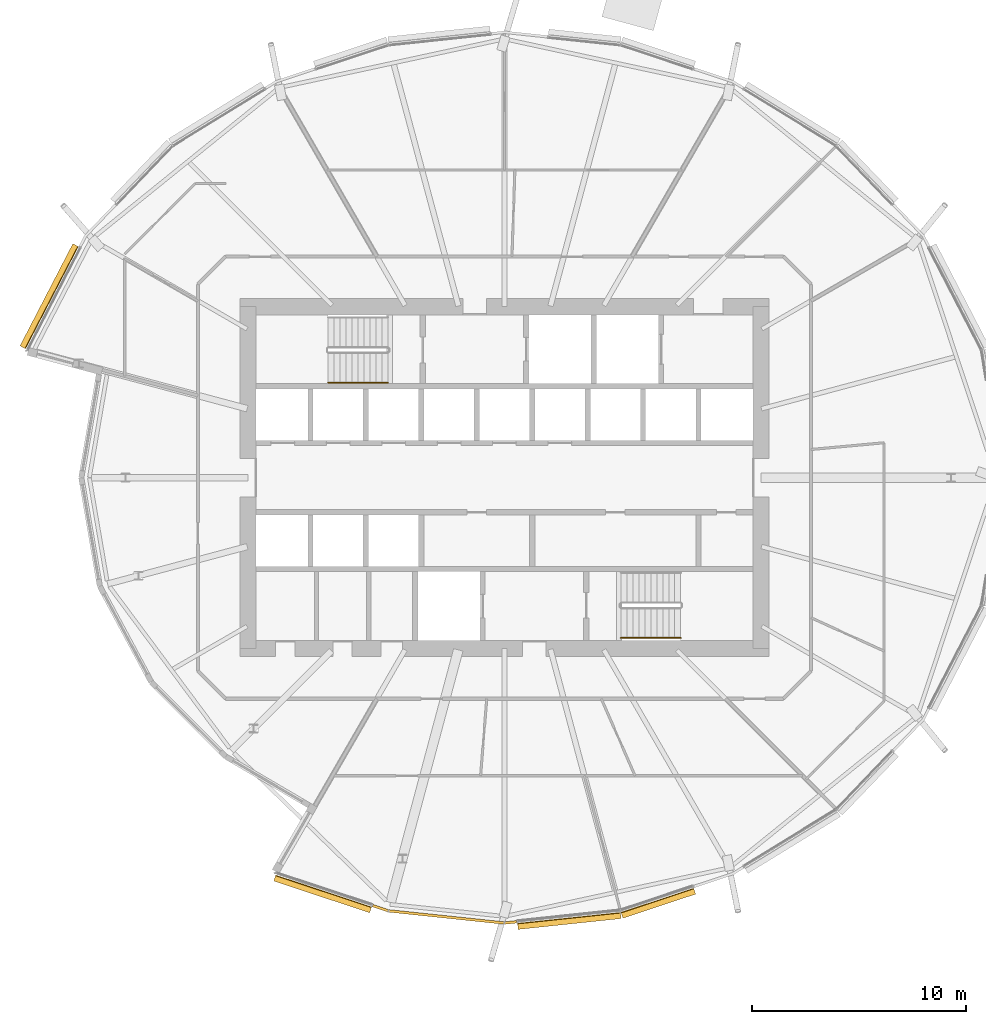
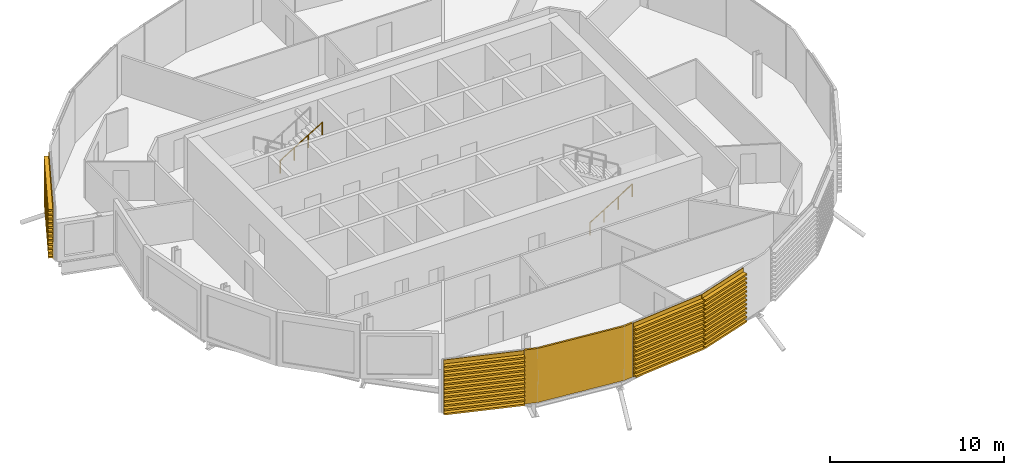
# One storey, part 33 of 38: 5 coverings, 2 railings.
"""IFC4 building model written with IfcOpenShell, lengths in metres."""

from ifc_helpers import new_model, si_unit, direction, frame, origin, origin_2d, place, context, subcontext, project, spatial, polyline, circle, outline, extrude, material, layer, layer_set, material_profile, profile_set, type_object, element, save


model = new_model("IFC4")

# Units and contexts
model_context = context("Model", 3, precision=1e-05, world=origin(), true_north=direction((0.0, 1.0)))
body_context = subcontext(model_context, "Body", "Model", "MODEL_VIEW")
ifc_project = project(units=[si_unit("LENGTHUNIT", "METRE"), si_unit("AREAUNIT", "SQUARE_METRE"), si_unit("VOLUMEUNIT", "CUBIC_METRE"), si_unit("PLANEANGLEUNIT", "RADIAN"), si_unit("MASSUNIT", "GRAM", prefix="KILO")], contexts=[model_context])

# Site, building, storey
site_placement = place(None, origin())
site = spatial("IfcSite", under=ifc_project, at=site_placement, CompositionType="ELEMENT")
building_placement = place(site_placement, origin())
building = spatial("IfcBuilding", under=site, at=building_placement, Name="Rimbun Link Towers", CompositionType="ELEMENT")
storey_placement = place(building_placement, frame((0.0, 0.0, 108.199951171875)))
storey = spatial("IfcBuildingStorey", under=building, at=storey_placement, Name="L26", CompositionType="ELEMENT", Elevation=108.199951171875)

# Covering
ifc_material_1 = material(Name="Terracotta", Category="masonry")
ifc_layer = layer(ifc_material_1, 0.1201171875)
ifc_layer_set = layer_set([ifc_layer], Name="LINK PIER terracotta cladding 120")
covering_type_1 = type_object("IfcCoveringType", Name="LINK PIER terracotta cladding 120", PredefinedType="CLADDING", material=ifc_layer_set)
covering_1_placement = place(storey_placement, origin())
element("IfcCovering", 1, at=covering_1_placement, inside=storey, type_object=covering_type_1, Name="LINK PIER cladding", PredefinedType="CLADDING", context=body_context, shape_type="SweptSolid", body=[
    extrude(outline(polyline([(-31.18310546875, -20.728271484375), (-31.75, -20.7880859375), (-37.167236328125, -20.217529296875), (-37.898193359375, -19.975341796875), (-37.93603515625, -20.089111328125), (-37.19287109375, -20.33544921875), (-31.75, -20.90869140625), (-31.170654296875, -20.84765625), (-31.18310546875, -20.728271484375)])), origin(), (0.0, 0.0, 1.0), 3.800048828125),
])

# Railings
ifc_material_2 = material(Name="Stainless steel grade 316", Category="steel")
railing_type = type_object("IfcRailingType", Name="Stair handrail", PredefinedType="HANDRAIL", material=ifc_material_2)
for number, where, name in (
    (2, (-40.0, 4.449951171875, 2.07275390625), "L26 ST1 stair handrail 2"),
    (3, (-26.300048828125, -7.5, 0.1728515625), "L26 ST2 stair handrail 1"),
):
    element("IfcRailing", number, at=place(storey_placement, frame(where)), inside=storey, type_object=railing_type, Name=name, PredefinedType="HANDRAIL", context=body_context, shape_type="SweptSolid", body=[
        extrude(circle(Radius=0.02392578125, at=origin_2d()), frame((0.0, 0.0, 0.8759765625), z_axis=(0.851089632645, 0.0, 0.525020415988), x_axis=(0.0, 1.0, 0.0)), (0.0, 0.0, 1.0), 3.2900390625),
        extrude(circle(Radius=0.02099609375, at=origin_2d()), origin(), (0.0, 0.0, 1.0), 0.851806640625),
        extrude(circle(Radius=0.02099609375, at=origin_2d()), frame((0.933349609375, 0.0, 0.57568359375)), (0.0, 0.0, 1.0), 0.851806640625),
        extrude(circle(Radius=0.02099609375, at=origin_2d()), frame((1.86669921875, 0.0, 1.151611328125)), (0.0, 0.0, 1.0), 0.851806640625),
        extrude(circle(Radius=0.02099609375, at=origin_2d()), frame((2.800048828125, 0.0, 1.727294921875)), (0.0, 0.0, 1.0), 0.851806640625),
    ])

# Coverings
ifc_material_3 = material(Name="Terracotta", Category="masonry")
ifc_material_profile = material_profile(ifc_material_3, outline(polyline([(0.123046875, 0.0), (0.1630859375, 0.0), (0.1630859375, 0.10009765625), (0.423095703125, 0.10009765625), (0.423095703125, 0.219970703125), (0.1630859375, 0.219970703125), (0.1630859375, 0.39990234375), (0.423095703125, 0.39990234375), (0.423095703125, 0.52001953125), (0.1630859375, 0.52001953125), (0.1630859375, 0.699951171875), (0.423095703125, 0.699951171875), (0.423095703125, 0.820068359375), (0.1630859375, 0.820068359375), (0.1630859375, 1.0), (0.423095703125, 1.0), (0.423095703125, 1.1201171875), (0.1630859375, 1.1201171875), (0.1630859375, 1.300048828125), (0.423095703125, 1.300048828125), (0.423095703125, 1.419921875), (0.1630859375, 1.419921875), (0.1630859375, 1.60009765625), (0.423095703125, 1.60009765625), (0.423095703125, 1.719970703125), (0.1630859375, 1.719970703125), (0.1630859375, 1.89990234375), (0.423095703125, 1.89990234375), (0.423095703125, 2.02001953125), (0.1630859375, 2.02001953125), (0.1630859375, 2.199951171875), (0.423095703125, 2.199951171875), (0.423095703125, 2.320068359375), (0.1630859375, 2.320068359375), (0.1630859375, 2.5), (0.423095703125, 2.5), (0.423095703125, 2.6201171875), (0.1630859375, 2.6201171875), (0.1630859375, 2.800048828125), (0.423095703125, 2.800048828125), (0.423095703125, 2.919921875), (0.1630859375, 2.919921875), (0.1630859375, 3.10009765625), (0.423095703125, 3.10009765625), (0.423095703125, 3.219970703125), (0.1630859375, 3.219970703125), (0.1630859375, 3.39990234375), (0.423095703125, 3.39990234375), (0.423095703125, 3.52001953125), (0.1630859375, 3.52001953125), (0.1630859375, 3.800048828125), (0.123046875, 3.800048828125), (0.123046875, 0.0)])), Name="BAGUETTE 120X300")
ifc_profile_set = profile_set([ifc_material_profile], Name="Terracotta")
covering_type_2 = type_object("IfcCoveringType", Name="TERRACOTTA BAGUETTE 120X300 H3800", PredefinedType="CLADDING", material=ifc_profile_set)
covering_2_placement = place(storey_placement, frame((-54.050048828125, 5.975341796875, 0.0), z_axis=(0.459546327365, 0.88815380031, 0.0), x_axis=(-0.88815380031, 0.459546327365, 0.0)))
element("IfcCovering", 4, at=covering_2_placement, inside=storey, type_object=covering_type_2, Name="TERRACOTTA BAGUETTE", PredefinedType="CLADDING", context=body_context, shape_type="SweptSolid", body=[
    extrude(outline(polyline([(0.123046875, 0.0), (0.1630859375, 0.0), (0.1630859375, 0.10009765625), (0.423095703125, 0.10009765625), (0.423095703125, 0.219970703125), (0.1630859375, 0.219970703125), (0.1630859375, 0.39990234375), (0.423095703125, 0.39990234375), (0.423095703125, 0.52001953125), (0.1630859375, 0.52001953125), (0.1630859375, 0.699951171875), (0.423095703125, 0.699951171875), (0.423095703125, 0.820068359375), (0.1630859375, 0.820068359375), (0.1630859375, 1.0), (0.423095703125, 1.0), (0.423095703125, 1.1201171875), (0.1630859375, 1.1201171875), (0.1630859375, 1.300048828125), (0.423095703125, 1.300048828125), (0.423095703125, 1.419921875), (0.1630859375, 1.419921875), (0.1630859375, 1.60009765625), (0.423095703125, 1.60009765625), (0.423095703125, 1.719970703125), (0.1630859375, 1.719970703125), (0.1630859375, 1.89990234375), (0.423095703125, 1.89990234375), (0.423095703125, 2.02001953125), (0.1630859375, 2.02001953125), (0.1630859375, 2.199951171875), (0.423095703125, 2.199951171875), (0.423095703125, 2.320068359375), (0.1630859375, 2.320068359375), (0.1630859375, 2.5), (0.423095703125, 2.5), (0.423095703125, 2.6201171875), (0.1630859375, 2.6201171875), (0.1630859375, 2.800048828125), (0.423095703125, 2.800048828125), (0.423095703125, 2.919921875), (0.1630859375, 2.919921875), (0.1630859375, 3.10009765625), (0.423095703125, 3.10009765625), (0.423095703125, 3.219970703125), (0.1630859375, 3.219970703125), (0.1630859375, 3.39990234375), (0.423095703125, 3.39990234375), (0.423095703125, 3.52001953125), (0.1630859375, 3.52001953125), (0.1630859375, 3.800048828125), (0.123046875, 3.800048828125), (0.123046875, 0.0)])), origin(), (0.0, 0.0, 1.0), 5.381591796875),
])
covering_3_placement = place(storey_placement, frame((-37.9267578125, -19.9658203125, 0.0), z_axis=(-0.949239108146, 0.314555425269, 0.0), x_axis=(-0.314555425269, -0.949239108146, 0.0)))
element("IfcCovering", 5, at=covering_3_placement, inside=storey, type_object=covering_type_2, Name="TERRACOTTA BAGUETTE", PredefinedType="CLADDING", context=body_context, shape_type="SweptSolid", body=[
    extrude(outline(polyline([(0.123046875, 0.0), (0.1630859375, 0.0), (0.1630859375, 0.10009765625), (0.423095703125, 0.10009765625), (0.423095703125, 0.219970703125), (0.1630859375, 0.219970703125), (0.1630859375, 0.39990234375), (0.423095703125, 0.39990234375), (0.423095703125, 0.52001953125), (0.1630859375, 0.52001953125), (0.1630859375, 0.699951171875), (0.423095703125, 0.699951171875), (0.423095703125, 0.820068359375), (0.1630859375, 0.820068359375), (0.1630859375, 1.0), (0.423095703125, 1.0), (0.423095703125, 1.1201171875), (0.1630859375, 1.1201171875), (0.1630859375, 1.300048828125), (0.423095703125, 1.300048828125), (0.423095703125, 1.419921875), (0.1630859375, 1.419921875), (0.1630859375, 1.60009765625), (0.423095703125, 1.60009765625), (0.423095703125, 1.719970703125), (0.1630859375, 1.719970703125), (0.1630859375, 1.89990234375), (0.423095703125, 1.89990234375), (0.423095703125, 2.02001953125), (0.1630859375, 2.02001953125), (0.1630859375, 2.199951171875), (0.423095703125, 2.199951171875), (0.423095703125, 2.320068359375), (0.1630859375, 2.320068359375), (0.1630859375, 2.5), (0.423095703125, 2.5), (0.423095703125, 2.6201171875), (0.1630859375, 2.6201171875), (0.1630859375, 2.800048828125), (0.423095703125, 2.800048828125), (0.423095703125, 2.919921875), (0.1630859375, 2.919921875), (0.1630859375, 3.10009765625), (0.423095703125, 3.10009765625), (0.423095703125, 3.219970703125), (0.1630859375, 3.219970703125), (0.1630859375, 3.39990234375), (0.423095703125, 3.39990234375), (0.423095703125, 3.52001953125), (0.1630859375, 3.52001953125), (0.1630859375, 3.800048828125), (0.123046875, 3.800048828125), (0.123046875, 0.0)])), origin(), (0.0, 0.0, 1.0), 4.7314453125),
])
covering_4_placement = place(storey_placement, frame((-26.332763671875, -20.217529296875, 0.0), z_axis=(-0.994502416666, -0.10471362493, 0.0), x_axis=(0.10471362493, -0.994502416666, 0.0)))
element("IfcCovering", 6, at=covering_4_placement, inside=storey, type_object=covering_type_2, Name="TERRACOTTA BAGUETTE", PredefinedType="CLADDING", context=body_context, shape_type="SweptSolid", body=[
    extrude(outline(polyline([(0.123046875, 0.0), (0.1630859375, 0.0), (0.1630859375, 0.10009765625), (0.423095703125, 0.10009765625), (0.423095703125, 0.219970703125), (0.1630859375, 0.219970703125), (0.1630859375, 0.39990234375), (0.423095703125, 0.39990234375), (0.423095703125, 0.52001953125), (0.1630859375, 0.52001953125), (0.1630859375, 0.699951171875), (0.423095703125, 0.699951171875), (0.423095703125, 0.820068359375), (0.1630859375, 0.820068359375), (0.1630859375, 1.0), (0.423095703125, 1.0), (0.423095703125, 1.1201171875), (0.1630859375, 1.1201171875), (0.1630859375, 1.300048828125), (0.423095703125, 1.300048828125), (0.423095703125, 1.419921875), (0.1630859375, 1.419921875), (0.1630859375, 1.60009765625), (0.423095703125, 1.60009765625), (0.423095703125, 1.719970703125), (0.1630859375, 1.719970703125), (0.1630859375, 1.89990234375), (0.423095703125, 1.89990234375), (0.423095703125, 2.02001953125), (0.1630859375, 2.02001953125), (0.1630859375, 2.199951171875), (0.423095703125, 2.199951171875), (0.423095703125, 2.320068359375), (0.1630859375, 2.320068359375), (0.1630859375, 2.5), (0.423095703125, 2.5), (0.423095703125, 2.6201171875), (0.1630859375, 2.6201171875), (0.1630859375, 2.800048828125), (0.423095703125, 2.800048828125), (0.423095703125, 2.919921875), (0.1630859375, 2.919921875), (0.1630859375, 3.10009765625), (0.423095703125, 3.10009765625), (0.423095703125, 3.219970703125), (0.1630859375, 3.219970703125), (0.1630859375, 3.39990234375), (0.423095703125, 3.39990234375), (0.423095703125, 3.52001953125), (0.1630859375, 3.52001953125), (0.1630859375, 3.800048828125), (0.123046875, 3.800048828125), (0.123046875, 0.0)])), origin(), (0.0, 0.0, 1.0), 4.84716796875),
])
covering_5_placement = place(storey_placement, frame((-22.93310546875, -19.0908203125, 0.0), z_axis=(-0.949227224398, -0.314591284783, 0.0), x_axis=(0.314591284783, -0.949227224398, 0.0)))
element("IfcCovering", 7, at=covering_5_placement, inside=storey, type_object=covering_type_2, Name="TERRACOTTA BAGUETTE", PredefinedType="CLADDING", context=body_context, shape_type="SweptSolid", body=[
    extrude(outline(polyline([(0.123046875, 0.0), (0.1630859375, 0.0), (0.1630859375, 0.10009765625), (0.423095703125, 0.10009765625), (0.423095703125, 0.219970703125), (0.1630859375, 0.219970703125), (0.1630859375, 0.39990234375), (0.423095703125, 0.39990234375), (0.423095703125, 0.52001953125), (0.1630859375, 0.52001953125), (0.1630859375, 0.699951171875), (0.423095703125, 0.699951171875), (0.423095703125, 0.820068359375), (0.1630859375, 0.820068359375), (0.1630859375, 1.0), (0.423095703125, 1.0), (0.423095703125, 1.1201171875), (0.1630859375, 1.1201171875), (0.1630859375, 1.300048828125), (0.423095703125, 1.300048828125), (0.423095703125, 1.419921875), (0.1630859375, 1.419921875), (0.1630859375, 1.60009765625), (0.423095703125, 1.60009765625), (0.423095703125, 1.719970703125), (0.1630859375, 1.719970703125), (0.1630859375, 1.89990234375), (0.423095703125, 1.89990234375), (0.423095703125, 2.02001953125), (0.1630859375, 2.02001953125), (0.1630859375, 2.199951171875), (0.423095703125, 2.199951171875), (0.423095703125, 2.320068359375), (0.1630859375, 2.320068359375), (0.1630859375, 2.5), (0.423095703125, 2.5), (0.423095703125, 2.6201171875), (0.1630859375, 2.6201171875), (0.1630859375, 2.800048828125), (0.423095703125, 2.800048828125), (0.423095703125, 2.919921875), (0.1630859375, 2.919921875), (0.1630859375, 3.10009765625), (0.423095703125, 3.10009765625), (0.423095703125, 3.219970703125), (0.1630859375, 3.219970703125), (0.1630859375, 3.39990234375), (0.423095703125, 3.39990234375), (0.423095703125, 3.52001953125), (0.1630859375, 3.52001953125), (0.1630859375, 3.800048828125), (0.123046875, 3.800048828125), (0.123046875, 0.0)])), origin(), (0.0, 0.0, 1.0), 3.58154296875),
])

save(model, "model.ifc")
